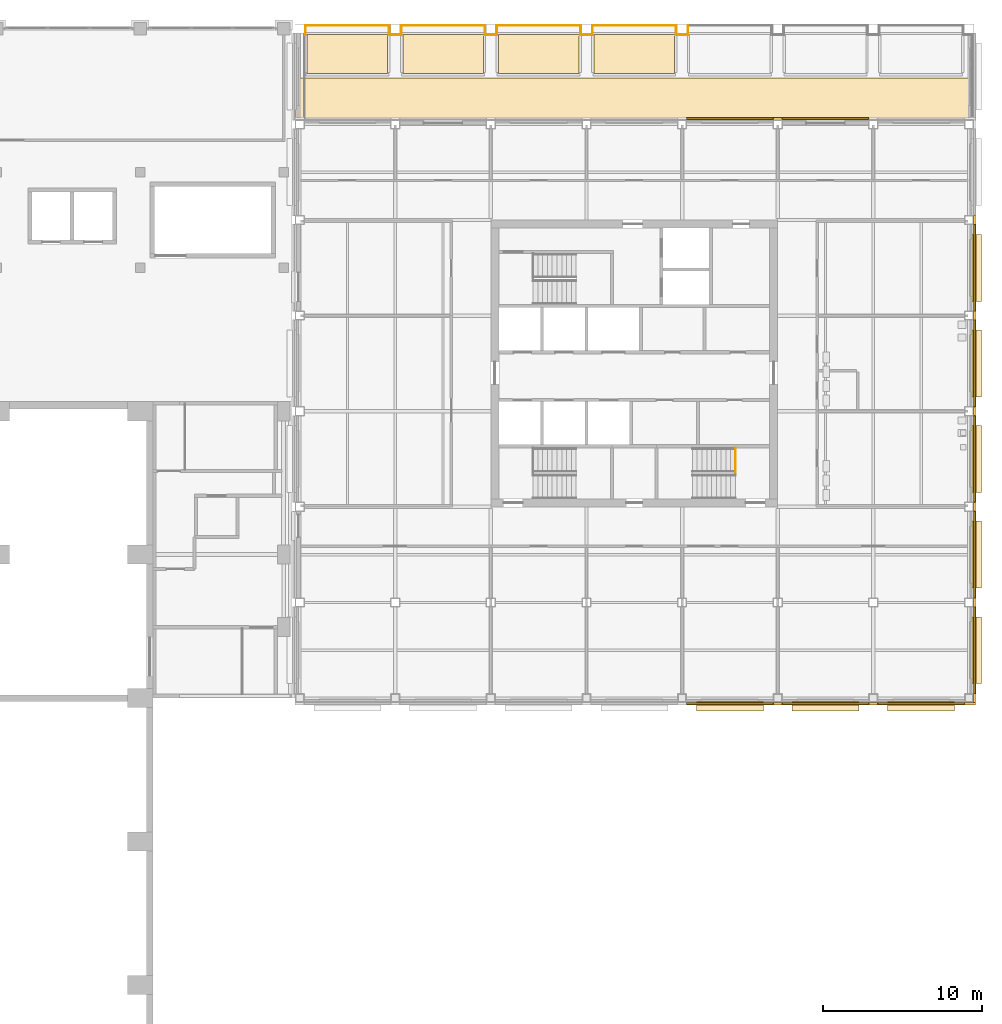
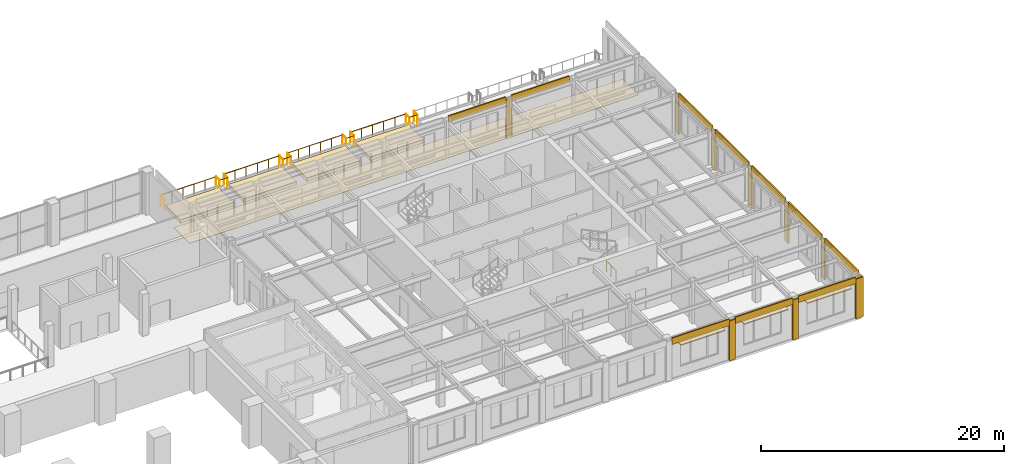
# One storey, part 36 of 39: 33 coverings, 18 railings.
"""IFC4 building model written with IfcOpenShell, lengths in metres."""

from ifc_helpers import new_model, si_unit, direction, frame, origin, origin_2d, place, context, subcontext, project, spatial, polyline, circle, outline, extrude, material, layer, layer_set, type_object, element, save


model = new_model("IFC4")

# Units and contexts
model_context = context("Model", 3, precision=1e-05, world=origin(), true_north=direction((0.0, 1.0)))
body_context = subcontext(model_context, "Body", "Model", "MODEL_VIEW")
ifc_project = project(units=[si_unit("LENGTHUNIT", "METRE"), si_unit("AREAUNIT", "SQUARE_METRE"), si_unit("VOLUMEUNIT", "CUBIC_METRE"), si_unit("PLANEANGLEUNIT", "RADIAN"), si_unit("MASSUNIT", "GRAM", prefix="KILO")], contexts=[model_context])

# Site, building, storey
site_placement = place(None, origin())
site = spatial("IfcSite", under=ifc_project, at=site_placement, CompositionType="ELEMENT")
building_placement = place(site_placement, origin())
building = spatial("IfcBuilding", under=site, at=building_placement, Name="Aravalli Gate Trade Fair Centre", CompositionType="ELEMENT")
storey_placement = place(building_placement, frame((0.0, 0.0, 15.0)))
storey = spatial("IfcBuildingStorey", under=building, at=storey_placement, Name="L03", CompositionType="ELEMENT", Elevation=15.0)

# Coverings
ifc_material_1 = material(Name="Terracotta", Category="masonry")
ifc_layer_1 = layer(ifc_material_1, 0.10009765625)
ifc_layer_set_1 = layer_set([ifc_layer_1], Name="Terracotta")
covering_type_1 = type_object("IfcCoveringType", Name="Wing chhajja hood 100", PredefinedType="MOLDING", material=ifc_layer_set_1)
covering_1_placement = place(storey_placement, frame((0.0, 0.0, 3.449951171875)))
element("IfcCovering", 1, at=covering_1_placement, inside=storey, type_object=covering_type_1, Name="Chhajja hood S4 L03", PredefinedType="MOLDING", context=body_context, shape_type="SweptSolid", body=[
    extrude(outline(polyline([(184.89990234375, 90.199951171875), (189.10009765625, 90.199951171875), (189.10009765625, 90.800048828125), (184.89990234375, 90.800048828125), (184.89990234375, 90.199951171875)])), origin(), (0.0, 0.0, 1.0), 0.10009765625),
])
covering_2_placement = place(storey_placement, frame((0.0, 0.0, 3.449951171875)))
element("IfcCovering", 2, at=covering_2_placement, inside=storey, type_object=covering_type_1, Name="Chhajja hood S5 L03", PredefinedType="MOLDING", context=body_context, shape_type="SweptSolid", body=[
    extrude(outline(polyline([(190.89990234375, 90.199951171875), (195.10009765625, 90.199951171875), (195.10009765625, 90.800048828125), (190.89990234375, 90.800048828125), (190.89990234375, 90.199951171875)])), origin(), (0.0, 0.0, 1.0), 0.10009765625),
])
covering_3_placement = place(storey_placement, frame((0.0, 0.0, 3.449951171875)))
element("IfcCovering", 3, at=covering_3_placement, inside=storey, type_object=covering_type_1, Name="Chhajja hood S6 L03", PredefinedType="MOLDING", context=body_context, shape_type="SweptSolid", body=[
    extrude(outline(polyline([(196.89990234375, 90.199951171875), (201.10009765625, 90.199951171875), (201.10009765625, 90.800048828125), (196.89990234375, 90.800048828125), (196.89990234375, 90.199951171875)])), origin(), (0.0, 0.0, 1.0), 0.10009765625),
])
covering_4_placement = place(storey_placement, frame((0.0, 0.0, 3.449951171875)))
element("IfcCovering", 4, at=covering_4_placement, inside=storey, type_object=covering_type_1, Name="Chhajja hood E0 L03", PredefinedType="MOLDING", context=body_context, shape_type="SweptSolid", body=[
    extrude(outline(polyline([(202.199951171875, 91.89990234375), (202.800048828125, 91.89990234375), (202.800048828125, 96.10009765625), (202.199951171875, 96.10009765625), (202.199951171875, 91.89990234375)])), origin(), (0.0, 0.0, 1.0), 0.10009765625),
])
covering_5_placement = place(storey_placement, frame((0.0, 0.0, 3.449951171875)))
element("IfcCovering", 5, at=covering_5_placement, inside=storey, type_object=covering_type_1, Name="Chhajja hood E1 L03", PredefinedType="MOLDING", context=body_context, shape_type="SweptSolid", body=[
    extrude(outline(polyline([(202.199951171875, 97.89990234375), (202.800048828125, 97.89990234375), (202.800048828125, 102.10009765625), (202.199951171875, 102.10009765625), (202.199951171875, 97.89990234375)])), origin(), (0.0, 0.0, 1.0), 0.10009765625),
])
covering_6_placement = place(storey_placement, frame((0.0, 0.0, 3.449951171875)))
element("IfcCovering", 6, at=covering_6_placement, inside=storey, type_object=covering_type_1, Name="Chhajja hood E2 L03", PredefinedType="MOLDING", context=body_context, shape_type="SweptSolid", body=[
    extrude(outline(polyline([(202.199951171875, 103.89990234375), (202.800048828125, 103.89990234375), (202.800048828125, 108.10009765625), (202.199951171875, 108.10009765625), (202.199951171875, 103.89990234375)])), origin(), (0.0, 0.0, 1.0), 0.10009765625),
])
covering_7_placement = place(storey_placement, frame((0.0, 0.0, 3.449951171875)))
element("IfcCovering", 7, at=covering_7_placement, inside=storey, type_object=covering_type_1, Name="Chhajja hood E3 L03", PredefinedType="MOLDING", context=body_context, shape_type="SweptSolid", body=[
    extrude(outline(polyline([(202.199951171875, 109.89990234375), (202.800048828125, 109.89990234375), (202.800048828125, 114.10009765625), (202.199951171875, 114.10009765625), (202.199951171875, 109.89990234375)])), origin(), (0.0, 0.0, 1.0), 0.10009765625),
])
covering_8_placement = place(storey_placement, frame((0.0, 0.0, 3.449951171875)))
element("IfcCovering", 8, at=covering_8_placement, inside=storey, type_object=covering_type_1, Name="Chhajja hood E4 L03", PredefinedType="MOLDING", context=body_context, shape_type="SweptSolid", body=[
    extrude(outline(polyline([(202.199951171875, 115.89990234375), (202.800048828125, 115.89990234375), (202.800048828125, 120.10009765625), (202.199951171875, 120.10009765625), (202.199951171875, 115.89990234375)])), origin(), (0.0, 0.0, 1.0), 0.10009765625),
])
ifc_material_2 = material(Name="Bituminous waterproofing membrane")
ifc_layer_2 = layer(ifc_material_2, 0.010009765625, Name="Waterproofing membrane")
ifc_material_3 = material(Name="Polyethylene drainage board")
ifc_layer_3 = layer(ifc_material_3, 0.050048828125, Name="Drainage layer")
ifc_material_4 = material(Name="Geotextile fleece")
ifc_layer_4 = layer(ifc_material_4, 0.0048828125, Name="Filter layer")
ifc_material_5 = material(Name="Growing medium")
ifc_layer_5 = layer(ifc_material_5, 0.300048828125, Name="Growing medium")
ifc_layer_set_2 = layer_set([ifc_layer_2, ifc_layer_3, ifc_layer_4, ifc_layer_5], Name="Wing green roof build-up 365")
covering_type_2 = type_object("IfcCoveringType", Name="Wing green roof build-up 365", PredefinedType="ROOFING", material=ifc_layer_set_2)
covering_9_placement = place(storey_placement, origin())
element("IfcCovering", 9, at=covering_9_placement, inside=storey, type_object=covering_type_2, Name="Terrace bed L03 1", PredefinedType="ROOFING", context=body_context, shape_type="SweptSolid", body=[
    extrude(outline(polyline([(160.47509765625, 130.179931640625), (165.52490234375, 130.179931640625), (165.52490234375, 132.6298828125), (160.47509765625, 132.6298828125), (160.47509765625, 130.179931640625)])), origin(), (0.0, 0.0, 1.0), 0.364990234375),
])
covering_10_placement = place(storey_placement, origin())
element("IfcCovering", 10, at=covering_10_placement, inside=storey, type_object=covering_type_2, Name="Terrace bed L03 2", PredefinedType="ROOFING", context=body_context, shape_type="SweptSolid", body=[
    extrude(outline(polyline([(166.47509765625, 130.179931640625), (171.52490234375, 130.179931640625), (171.52490234375, 132.6298828125), (166.47509765625, 132.6298828125), (166.47509765625, 130.179931640625)])), origin(), (0.0, 0.0, 1.0), 0.364990234375),
])
covering_11_placement = place(storey_placement, origin())
element("IfcCovering", 11, at=covering_11_placement, inside=storey, type_object=covering_type_2, Name="Terrace bed L03 3", PredefinedType="ROOFING", context=body_context, shape_type="SweptSolid", body=[
    extrude(outline(polyline([(172.47509765625, 130.179931640625), (177.52490234375, 130.179931640625), (177.52490234375, 132.6298828125), (172.47509765625, 132.6298828125), (172.47509765625, 130.179931640625)])), origin(), (0.0, 0.0, 1.0), 0.364990234375),
])
covering_12_placement = place(storey_placement, origin())
element("IfcCovering", 12, at=covering_12_placement, inside=storey, type_object=covering_type_2, Name="Terrace bed L03 4", PredefinedType="ROOFING", context=body_context, shape_type="SweptSolid", body=[
    extrude(outline(polyline([(178.47509765625, 130.179931640625), (183.52490234375, 130.179931640625), (183.52490234375, 132.6298828125), (178.47509765625, 132.6298828125), (178.47509765625, 130.179931640625)])), origin(), (0.0, 0.0, 1.0), 0.364990234375),
])
ifc_material_6 = material(Name="Terracotta lattice", Category="masonry")
ifc_layer_6 = layer(ifc_material_6, 0.1201171875)
ifc_layer_set_3 = layer_set([ifc_layer_6], Name="Terracotta lattice")
covering_type_3 = type_object("IfcCoveringType", Name="Wing jali spandrel panel 120", PredefinedType="CLADDING", material=ifc_layer_set_3)
covering_13_placement = place(storey_placement, frame((0.0, 0.0, 3.550048828125)))
element("IfcCovering", 13, at=covering_13_placement, inside=storey, type_object=covering_type_3, Name="Jali spandrel panel S4 L03", PredefinedType="CLADDING", context=body_context, shape_type="SweptSolid", body=[
    extrude(outline(polyline([(184.27490234375, 90.574951171875), (189.72509765625, 90.574951171875), (189.72509765625, 90.695068359375), (184.27490234375, 90.695068359375), (184.27490234375, 90.574951171875)])), origin(), (0.0, 0.0, 1.0), 0.64990234375),
])
covering_14_placement = place(storey_placement, frame((0.0, 0.0, 3.550048828125)))
element("IfcCovering", 14, at=covering_14_placement, inside=storey, type_object=covering_type_3, Name="Jali spandrel panel S5 L03", PredefinedType="CLADDING", context=body_context, shape_type="SweptSolid", body=[
    extrude(outline(polyline([(190.27490234375, 90.574951171875), (195.72509765625, 90.574951171875), (195.72509765625, 90.695068359375), (190.27490234375, 90.695068359375), (190.27490234375, 90.574951171875)])), origin(), (0.0, 0.0, 1.0), 0.64990234375),
])
covering_15_placement = place(storey_placement, frame((0.0, 0.0, 3.550048828125)))
element("IfcCovering", 15, at=covering_15_placement, inside=storey, type_object=covering_type_3, Name="Jali spandrel panel S6 L03", PredefinedType="CLADDING", context=body_context, shape_type="SweptSolid", body=[
    extrude(outline(polyline([(196.27490234375, 90.574951171875), (201.72509765625, 90.574951171875), (201.72509765625, 90.695068359375), (196.27490234375, 90.695068359375), (196.27490234375, 90.574951171875)])), origin(), (0.0, 0.0, 1.0), 0.64990234375),
])
ifc_material_7 = material(Name="Glazed terracotta", Category="masonry")
ifc_layer_7 = layer(ifc_material_7, 0.14990234375)
ifc_layer_set_4 = layer_set([ifc_layer_7], Name="Glazed terracotta")
covering_type_4 = type_object("IfcCoveringType", Name="Wing pier casing 150", PredefinedType="CLADDING", material=ifc_layer_set_4)
covering_16_placement = place(storey_placement, origin())
element("IfcCovering", 16, at=covering_16_placement, inside=storey, type_object=covering_type_4, Name="Pier casing 23F S L03", PredefinedType="CLADDING", context=body_context, shape_type="SweptSolid", body=[
    extrude(outline(polyline([(189.72509765625, 90.574951171875), (190.27490234375, 90.574951171875), (190.27490234375, 90.72509765625), (189.72509765625, 90.72509765625), (189.72509765625, 90.574951171875)])), origin(), (0.0, 0.0, 1.0), 4.0),
])
covering_17_placement = place(storey_placement, origin())
element("IfcCovering", 17, at=covering_17_placement, inside=storey, type_object=covering_type_4, Name="Pier casing 24F S L03", PredefinedType="CLADDING", context=body_context, shape_type="SweptSolid", body=[
    extrude(outline(polyline([(195.72509765625, 90.574951171875), (196.27490234375, 90.574951171875), (196.27490234375, 90.72509765625), (195.72509765625, 90.72509765625), (195.72509765625, 90.574951171875)])), origin(), (0.0, 0.0, 1.0), 4.0),
])
covering_18_placement = place(storey_placement, origin())
element("IfcCovering", 18, at=covering_18_placement, inside=storey, type_object=covering_type_4, Name="Pier casing 25F S L03", PredefinedType="CLADDING", context=body_context, shape_type="SweptSolid", body=[
    extrude(outline(polyline([(201.72509765625, 90.574951171875), (202.425048828125, 90.574951171875), (202.425048828125, 90.72509765625), (201.72509765625, 90.72509765625), (201.72509765625, 90.574951171875)])), origin(), (0.0, 0.0, 1.0), 4.0),
])
covering_19_placement = place(storey_placement, origin())
element("IfcCovering", 19, at=covering_19_placement, inside=storey, type_object=covering_type_4, Name="Pier casing 25F E L03", PredefinedType="CLADDING", context=body_context, shape_type="SweptSolid", body=[
    extrude(outline(polyline([(202.27490234375, 90.72509765625), (202.425048828125, 90.72509765625), (202.425048828125, 91.27490234375), (202.27490234375, 91.27490234375), (202.27490234375, 90.72509765625)])), origin(), (0.0, 0.0, 1.0), 4.0),
])
covering_20_placement = place(storey_placement, origin())
element("IfcCovering", 20, at=covering_20_placement, inside=storey, type_object=covering_type_4, Name="Pier casing 25T1 E L03", PredefinedType="CLADDING", context=body_context, shape_type="SweptSolid", body=[
    extrude(outline(polyline([(202.27490234375, 96.72509765625), (202.425048828125, 96.72509765625), (202.425048828125, 97.27490234375), (202.27490234375, 97.27490234375), (202.27490234375, 96.72509765625)])), origin(), (0.0, 0.0, 1.0), 4.0),
])
covering_21_placement = place(storey_placement, origin())
element("IfcCovering", 21, at=covering_21_placement, inside=storey, type_object=covering_type_4, Name="Pier casing 25T2 E L03", PredefinedType="CLADDING", context=body_context, shape_type="SweptSolid", body=[
    extrude(outline(polyline([(202.27490234375, 102.72509765625), (202.425048828125, 102.72509765625), (202.425048828125, 103.27490234375), (202.27490234375, 103.27490234375), (202.27490234375, 102.72509765625)])), origin(), (0.0, 0.0, 1.0), 4.0),
])
covering_22_placement = place(storey_placement, origin())
element("IfcCovering", 22, at=covering_22_placement, inside=storey, type_object=covering_type_4, Name="Pier casing 25H E L03", PredefinedType="CLADDING", context=body_context, shape_type="SweptSolid", body=[
    extrude(outline(polyline([(202.27490234375, 108.72509765625), (202.425048828125, 108.72509765625), (202.425048828125, 109.27490234375), (202.27490234375, 109.27490234375), (202.27490234375, 108.72509765625)])), origin(), (0.0, 0.0, 1.0), 4.0),
])
covering_23_placement = place(storey_placement, origin())
element("IfcCovering", 23, at=covering_23_placement, inside=storey, type_object=covering_type_4, Name="Pier casing 25T3 E L03", PredefinedType="CLADDING", context=body_context, shape_type="SweptSolid", body=[
    extrude(outline(polyline([(202.27490234375, 114.72509765625), (202.425048828125, 114.72509765625), (202.425048828125, 115.27490234375), (202.27490234375, 115.27490234375), (202.27490234375, 114.72509765625)])), origin(), (0.0, 0.0, 1.0), 4.0),
])
covering_24_placement = place(storey_placement, origin())
element("IfcCovering", 24, at=covering_24_placement, inside=storey, type_object=covering_type_4, Name="Pier casing 25J E L03", PredefinedType="CLADDING", context=body_context, shape_type="SweptSolid", body=[
    extrude(outline(polyline([(202.27490234375, 120.72509765625), (202.425048828125, 120.72509765625), (202.425048828125, 121.27490234375), (202.27490234375, 121.27490234375), (202.27490234375, 120.72509765625)])), origin(), (0.0, 0.0, 1.0), 4.0),
])
covering_25_placement = place(storey_placement, origin())
element("IfcCovering", 25, at=covering_25_placement, inside=storey, type_object=covering_type_4, Name="Pier casing 23T4 N L03", PredefinedType="CLADDING", context=body_context, shape_type="SweptSolid", body=[
    extrude(outline(polyline([(189.72509765625, 127.27490234375), (190.27490234375, 127.27490234375), (190.27490234375, 127.425048828125), (189.72509765625, 127.425048828125), (189.72509765625, 127.27490234375)])), origin(), (0.0, 0.0, 1.0), 4.0),
])
ifc_layer_8 = layer(ifc_material_7, 0.1201171875)
ifc_layer_set_5 = layer_set([ifc_layer_8], Name="Glazed terracotta")
covering_type_5 = type_object("IfcCoveringType", Name="Wing spandrel band 120", PredefinedType="CLADDING", material=ifc_layer_set_5)
covering_26_placement = place(storey_placement, frame((0.0, 0.0, 3.550048828125)))
element("IfcCovering", 26, at=covering_26_placement, inside=storey, type_object=covering_type_5, Name="Spandrel band N4 L03", PredefinedType="CLADDING", context=body_context, shape_type="SweptSolid", body=[
    extrude(outline(polyline([(184.27490234375, 127.304931640625), (189.72509765625, 127.304931640625), (189.72509765625, 127.425048828125), (184.27490234375, 127.425048828125), (184.27490234375, 127.304931640625)])), origin(), (0.0, 0.0, 1.0), 0.64990234375),
])
covering_27_placement = place(storey_placement, frame((0.0, 0.0, 3.550048828125)))
element("IfcCovering", 27, at=covering_27_placement, inside=storey, type_object=covering_type_5, Name="Spandrel band N5 L03", PredefinedType="CLADDING", context=body_context, shape_type="SweptSolid", body=[
    extrude(outline(polyline([(190.27490234375, 127.304931640625), (195.72509765625, 127.304931640625), (195.72509765625, 127.425048828125), (190.27490234375, 127.425048828125), (190.27490234375, 127.304931640625)])), origin(), (0.0, 0.0, 1.0), 0.64990234375),
])
covering_28_placement = place(storey_placement, frame((0.0, 0.0, 3.550048828125)))
element("IfcCovering", 28, at=covering_28_placement, inside=storey, type_object=covering_type_5, Name="Spandrel band E0 L03", PredefinedType="CLADDING", context=body_context, shape_type="SweptSolid", body=[
    extrude(outline(polyline([(202.304931640625, 91.27490234375), (202.425048828125, 91.27490234375), (202.425048828125, 96.72509765625), (202.304931640625, 96.72509765625), (202.304931640625, 91.27490234375)])), origin(), (0.0, 0.0, 1.0), 0.64990234375),
])
covering_29_placement = place(storey_placement, frame((0.0, 0.0, 3.550048828125)))
element("IfcCovering", 29, at=covering_29_placement, inside=storey, type_object=covering_type_5, Name="Spandrel band E1 L03", PredefinedType="CLADDING", context=body_context, shape_type="SweptSolid", body=[
    extrude(outline(polyline([(202.304931640625, 97.27490234375), (202.425048828125, 97.27490234375), (202.425048828125, 102.72509765625), (202.304931640625, 102.72509765625), (202.304931640625, 97.27490234375)])), origin(), (0.0, 0.0, 1.0), 0.64990234375),
])
covering_30_placement = place(storey_placement, frame((0.0, 0.0, 3.550048828125)))
element("IfcCovering", 30, at=covering_30_placement, inside=storey, type_object=covering_type_5, Name="Spandrel band E2 L03", PredefinedType="CLADDING", context=body_context, shape_type="SweptSolid", body=[
    extrude(outline(polyline([(202.304931640625, 103.27490234375), (202.425048828125, 103.27490234375), (202.425048828125, 108.72509765625), (202.304931640625, 108.72509765625), (202.304931640625, 103.27490234375)])), origin(), (0.0, 0.0, 1.0), 0.64990234375),
])
covering_31_placement = place(storey_placement, frame((0.0, 0.0, 3.550048828125)))
element("IfcCovering", 31, at=covering_31_placement, inside=storey, type_object=covering_type_5, Name="Spandrel band E3 L03", PredefinedType="CLADDING", context=body_context, shape_type="SweptSolid", body=[
    extrude(outline(polyline([(202.304931640625, 109.27490234375), (202.425048828125, 109.27490234375), (202.425048828125, 114.72509765625), (202.304931640625, 114.72509765625), (202.304931640625, 109.27490234375)])), origin(), (0.0, 0.0, 1.0), 0.64990234375),
])
covering_32_placement = place(storey_placement, frame((0.0, 0.0, 3.550048828125)))
element("IfcCovering", 32, at=covering_32_placement, inside=storey, type_object=covering_type_5, Name="Spandrel band E4 L03", PredefinedType="CLADDING", context=body_context, shape_type="SweptSolid", body=[
    extrude(outline(polyline([(202.304931640625, 115.27490234375), (202.425048828125, 115.27490234375), (202.425048828125, 120.72509765625), (202.304931640625, 120.72509765625), (202.304931640625, 115.27490234375)])), origin(), (0.0, 0.0, 1.0), 0.64990234375),
])

# Railings
ifc_material_8 = material(Name="Steel E350", Category="steel")
railing_type_1 = type_object("IfcRailingType", Name="Wing stair roof guard", PredefinedType="GUARDRAIL", material=ifc_material_8)
railing_1_placement = place(storey_placement, frame((187.35009765625, 105.159912109375, 0.0)))
element("IfcRailing", 33, at=railing_1_placement, inside=storey, type_object=railing_type_1, Name="Guard S1 landing L03", PredefinedType="GUARDRAIL", context=body_context, shape_type="SweptSolid", body=[
    extrude(circle(Radius=0.02392578125, at=origin_2d()), frame((0.0, 0.0, 1.076171875), z_axis=(0.0, 1.0, 0.0), x_axis=(-1.0, 0.0, 0.0)), (0.0, 0.0, 1.0), 1.5400390625),
    extrude(circle(Radius=0.02099609375, at=origin_2d()), origin(), (0.0, 0.0, 1.0), 1.052001953125),
    extrude(circle(Radius=0.02099609375, at=origin_2d()), frame((0.0, 0.77001953125, 0.0)), (0.0, 0.0, 1.0), 1.052001953125),
    extrude(circle(Radius=0.02099609375, at=origin_2d()), frame((0.0, 1.5400390625, 0.0)), (0.0, 0.0, 1.0), 1.052001953125),
])
railing_type_2 = type_object("IfcRailingType", Name="Wing terrace guard", PredefinedType="GUARDRAIL", material=ifc_material_8)
railing_2_placement = place(storey_placement, frame((160.375, 132.625, 0.0)))
element("IfcRailing", 34, at=railing_2_placement, inside=storey, type_object=railing_type_2, Name="Terrace guard L03 1", PredefinedType="GUARDRAIL", context=body_context, shape_type="SweptSolid", body=[
    extrude(circle(Radius=0.02392578125, at=origin_2d()), frame((0.0, 0.0, 1.076171875), z_axis=(0.0, 1.0, 0.0), x_axis=(-1.0, 0.0, 0.0)), (0.0, 0.0, 1.0), 0.580078125),
    extrude(circle(Radius=0.02099609375, at=origin_2d()), origin(), (0.0, 0.0, 1.0), 1.052001953125),
    extrude(circle(Radius=0.02099609375, at=origin_2d()), frame((0.0, 0.580078125, 0.0)), (0.0, 0.0, 1.0), 1.052001953125),
])
railing_3_placement = place(storey_placement, frame((160.375, 133.205078125, 0.0)))
element("IfcRailing", 35, at=railing_3_placement, inside=storey, type_object=railing_type_2, Name="Terrace guard L03 2", PredefinedType="GUARDRAIL", context=body_context, shape_type="SweptSolid", body=[
    extrude(circle(Radius=0.02392578125, at=origin_2d()), frame((0.0, 0.0, 1.076171875), z_axis=(1.0, 0.0, 0.0), x_axis=(0.0, 1.0, 0.0)), (0.0, 0.0, 1.0), 5.25),
    extrude(circle(Radius=0.02099609375, at=origin_2d()), origin(), (0.0, 0.0, 1.0), 1.052001953125),
    extrude(circle(Radius=0.02099609375, at=origin_2d()), frame((1.050048828125, 0.0, 0.0)), (0.0, 0.0, 1.0), 1.052001953125),
    extrude(circle(Radius=0.02099609375, at=origin_2d()), frame((2.10009765625, 0.0, 0.0)), (0.0, 0.0, 1.0), 1.052001953125),
    extrude(circle(Radius=0.02099609375, at=origin_2d()), frame((3.14990234375, 0.0, 0.0)), (0.0, 0.0, 1.0), 1.052001953125),
    extrude(circle(Radius=0.02099609375, at=origin_2d()), frame((4.199951171875, 0.0, 0.0)), (0.0, 0.0, 1.0), 1.052001953125),
    extrude(circle(Radius=0.02099609375, at=origin_2d()), frame((5.25, 0.0, 0.0)), (0.0, 0.0, 1.0), 1.052001953125),
])
railing_4_placement = place(storey_placement, frame((165.625, 133.205078125, 0.0)))
element("IfcRailing", 36, at=railing_4_placement, inside=storey, type_object=railing_type_2, Name="Terrace guard L03 3", PredefinedType="GUARDRAIL", context=body_context, shape_type="SweptSolid", body=[
    extrude(circle(Radius=0.02392578125, at=origin_2d()), frame((0.0, 0.0, 1.076171875), z_axis=(0.0, -1.0, 0.0), x_axis=(1.0, 0.0, 0.0)), (0.0, 0.0, 1.0), 0.580078125),
    extrude(circle(Radius=0.02099609375, at=origin_2d()), origin(), (0.0, 0.0, 1.0), 1.052001953125),
    extrude(circle(Radius=0.02099609375, at=origin_2d()), frame((0.0, -0.580078125, 0.0)), (0.0, 0.0, 1.0), 1.052001953125),
])
railing_5_placement = place(storey_placement, frame((165.625, 132.625, 0.0)))
element("IfcRailing", 37, at=railing_5_placement, inside=storey, type_object=railing_type_2, Name="Terrace guard L03 4", PredefinedType="GUARDRAIL", context=body_context, shape_type="SweptSolid", body=[
    extrude(circle(Radius=0.02392578125, at=origin_2d()), frame((0.0, 0.0, 1.076171875), z_axis=(1.0, 0.0, 0.0), x_axis=(0.0, 1.0, 0.0)), (0.0, 0.0, 1.0), 0.75),
    extrude(circle(Radius=0.02099609375, at=origin_2d()), origin(), (0.0, 0.0, 1.0), 1.052001953125),
    extrude(circle(Radius=0.02099609375, at=origin_2d()), frame((0.75, 0.0, 0.0)), (0.0, 0.0, 1.0), 1.052001953125),
])
railing_6_placement = place(storey_placement, frame((166.375, 132.625, 0.0)))
element("IfcRailing", 38, at=railing_6_placement, inside=storey, type_object=railing_type_2, Name="Terrace guard L03 5", PredefinedType="GUARDRAIL", context=body_context, shape_type="SweptSolid", body=[
    extrude(circle(Radius=0.02392578125, at=origin_2d()), frame((0.0, 0.0, 1.076171875), z_axis=(0.0, 1.0, 0.0), x_axis=(-1.0, 0.0, 0.0)), (0.0, 0.0, 1.0), 0.580078125),
    extrude(circle(Radius=0.02099609375, at=origin_2d()), origin(), (0.0, 0.0, 1.0), 1.052001953125),
    extrude(circle(Radius=0.02099609375, at=origin_2d()), frame((0.0, 0.580078125, 0.0)), (0.0, 0.0, 1.0), 1.052001953125),
])
railing_7_placement = place(storey_placement, frame((166.375, 133.205078125, 0.0)))
element("IfcRailing", 39, at=railing_7_placement, inside=storey, type_object=railing_type_2, Name="Terrace guard L03 6", PredefinedType="GUARDRAIL", context=body_context, shape_type="SweptSolid", body=[
    extrude(circle(Radius=0.02392578125, at=origin_2d()), frame((0.0, 0.0, 1.076171875), z_axis=(1.0, 0.0, 0.0), x_axis=(0.0, 1.0, 0.0)), (0.0, 0.0, 1.0), 5.25),
    extrude(circle(Radius=0.02099609375, at=origin_2d()), origin(), (0.0, 0.0, 1.0), 1.052001953125),
    extrude(circle(Radius=0.02099609375, at=origin_2d()), frame((1.050048828125, 0.0, 0.0)), (0.0, 0.0, 1.0), 1.052001953125),
    extrude(circle(Radius=0.02099609375, at=origin_2d()), frame((2.10009765625, 0.0, 0.0)), (0.0, 0.0, 1.0), 1.052001953125),
    extrude(circle(Radius=0.02099609375, at=origin_2d()), frame((3.14990234375, 0.0, 0.0)), (0.0, 0.0, 1.0), 1.052001953125),
    extrude(circle(Radius=0.02099609375, at=origin_2d()), frame((4.199951171875, 0.0, 0.0)), (0.0, 0.0, 1.0), 1.052001953125),
    extrude(circle(Radius=0.02099609375, at=origin_2d()), frame((5.25, 0.0, 0.0)), (0.0, 0.0, 1.0), 1.052001953125),
])
railing_8_placement = place(storey_placement, frame((171.625, 133.205078125, 0.0)))
element("IfcRailing", 40, at=railing_8_placement, inside=storey, type_object=railing_type_2, Name="Terrace guard L03 7", PredefinedType="GUARDRAIL", context=body_context, shape_type="SweptSolid", body=[
    extrude(circle(Radius=0.02392578125, at=origin_2d()), frame((0.0, 0.0, 1.076171875), z_axis=(0.0, -1.0, 0.0), x_axis=(1.0, 0.0, 0.0)), (0.0, 0.0, 1.0), 0.580078125),
    extrude(circle(Radius=0.02099609375, at=origin_2d()), origin(), (0.0, 0.0, 1.0), 1.052001953125),
    extrude(circle(Radius=0.02099609375, at=origin_2d()), frame((0.0, -0.580078125, 0.0)), (0.0, 0.0, 1.0), 1.052001953125),
])
railing_9_placement = place(storey_placement, frame((171.625, 132.625, 0.0)))
element("IfcRailing", 41, at=railing_9_placement, inside=storey, type_object=railing_type_2, Name="Terrace guard L03 8", PredefinedType="GUARDRAIL", context=body_context, shape_type="SweptSolid", body=[
    extrude(circle(Radius=0.02392578125, at=origin_2d()), frame((0.0, 0.0, 1.076171875), z_axis=(1.0, 0.0, 0.0), x_axis=(0.0, 1.0, 0.0)), (0.0, 0.0, 1.0), 0.75),
    extrude(circle(Radius=0.02099609375, at=origin_2d()), origin(), (0.0, 0.0, 1.0), 1.052001953125),
    extrude(circle(Radius=0.02099609375, at=origin_2d()), frame((0.75, 0.0, 0.0)), (0.0, 0.0, 1.0), 1.052001953125),
])
railing_10_placement = place(storey_placement, frame((172.375, 132.625, 0.0)))
element("IfcRailing", 42, at=railing_10_placement, inside=storey, type_object=railing_type_2, Name="Terrace guard L03 9", PredefinedType="GUARDRAIL", context=body_context, shape_type="SweptSolid", body=[
    extrude(circle(Radius=0.02392578125, at=origin_2d()), frame((0.0, 0.0, 1.076171875), z_axis=(0.0, 1.0, 0.0), x_axis=(-1.0, 0.0, 0.0)), (0.0, 0.0, 1.0), 0.580078125),
    extrude(circle(Radius=0.02099609375, at=origin_2d()), origin(), (0.0, 0.0, 1.0), 1.052001953125),
    extrude(circle(Radius=0.02099609375, at=origin_2d()), frame((0.0, 0.580078125, 0.0)), (0.0, 0.0, 1.0), 1.052001953125),
])
railing_11_placement = place(storey_placement, frame((172.375, 133.205078125, 0.0)))
element("IfcRailing", 43, at=railing_11_placement, inside=storey, type_object=railing_type_2, Name="Terrace guard L03 10", PredefinedType="GUARDRAIL", context=body_context, shape_type="SweptSolid", body=[
    extrude(circle(Radius=0.02392578125, at=origin_2d()), frame((0.0, 0.0, 1.076171875), z_axis=(1.0, 0.0, 0.0), x_axis=(0.0, 1.0, 0.0)), (0.0, 0.0, 1.0), 5.25),
    extrude(circle(Radius=0.02099609375, at=origin_2d()), origin(), (0.0, 0.0, 1.0), 1.052001953125),
    extrude(circle(Radius=0.02099609375, at=origin_2d()), frame((1.050048828125, 0.0, 0.0)), (0.0, 0.0, 1.0), 1.052001953125),
    extrude(circle(Radius=0.02099609375, at=origin_2d()), frame((2.10009765625, 0.0, 0.0)), (0.0, 0.0, 1.0), 1.052001953125),
    extrude(circle(Radius=0.02099609375, at=origin_2d()), frame((3.14990234375, 0.0, 0.0)), (0.0, 0.0, 1.0), 1.052001953125),
    extrude(circle(Radius=0.02099609375, at=origin_2d()), frame((4.199951171875, 0.0, 0.0)), (0.0, 0.0, 1.0), 1.052001953125),
    extrude(circle(Radius=0.02099609375, at=origin_2d()), frame((5.25, 0.0, 0.0)), (0.0, 0.0, 1.0), 1.052001953125),
])
railing_12_placement = place(storey_placement, frame((177.625, 133.205078125, 0.0)))
element("IfcRailing", 44, at=railing_12_placement, inside=storey, type_object=railing_type_2, Name="Terrace guard L03 11", PredefinedType="GUARDRAIL", context=body_context, shape_type="SweptSolid", body=[
    extrude(circle(Radius=0.02392578125, at=origin_2d()), frame((0.0, 0.0, 1.076171875), z_axis=(0.0, -1.0, 0.0), x_axis=(1.0, 0.0, 0.0)), (0.0, 0.0, 1.0), 0.580078125),
    extrude(circle(Radius=0.02099609375, at=origin_2d()), origin(), (0.0, 0.0, 1.0), 1.052001953125),
    extrude(circle(Radius=0.02099609375, at=origin_2d()), frame((0.0, -0.580078125, 0.0)), (0.0, 0.0, 1.0), 1.052001953125),
])
railing_13_placement = place(storey_placement, frame((177.625, 132.625, 0.0)))
element("IfcRailing", 45, at=railing_13_placement, inside=storey, type_object=railing_type_2, Name="Terrace guard L03 12", PredefinedType="GUARDRAIL", context=body_context, shape_type="SweptSolid", body=[
    extrude(circle(Radius=0.02392578125, at=origin_2d()), frame((0.0, 0.0, 1.076171875), z_axis=(1.0, 0.0, 0.0), x_axis=(0.0, 1.0, 0.0)), (0.0, 0.0, 1.0), 0.75),
    extrude(circle(Radius=0.02099609375, at=origin_2d()), origin(), (0.0, 0.0, 1.0), 1.052001953125),
    extrude(circle(Radius=0.02099609375, at=origin_2d()), frame((0.75, 0.0, 0.0)), (0.0, 0.0, 1.0), 1.052001953125),
])
railing_14_placement = place(storey_placement, frame((178.375, 132.625, 0.0)))
element("IfcRailing", 46, at=railing_14_placement, inside=storey, type_object=railing_type_2, Name="Terrace guard L03 13", PredefinedType="GUARDRAIL", context=body_context, shape_type="SweptSolid", body=[
    extrude(circle(Radius=0.02392578125, at=origin_2d()), frame((0.0, 0.0, 1.076171875), z_axis=(0.0, 1.0, 0.0), x_axis=(-1.0, 0.0, 0.0)), (0.0, 0.0, 1.0), 0.580078125),
    extrude(circle(Radius=0.02099609375, at=origin_2d()), origin(), (0.0, 0.0, 1.0), 1.052001953125),
    extrude(circle(Radius=0.02099609375, at=origin_2d()), frame((0.0, 0.580078125, 0.0)), (0.0, 0.0, 1.0), 1.052001953125),
])
railing_15_placement = place(storey_placement, frame((178.375, 133.205078125, 0.0)))
element("IfcRailing", 47, at=railing_15_placement, inside=storey, type_object=railing_type_2, Name="Terrace guard L03 14", PredefinedType="GUARDRAIL", context=body_context, shape_type="SweptSolid", body=[
    extrude(circle(Radius=0.02392578125, at=origin_2d()), frame((0.0, 0.0, 1.076171875), z_axis=(1.0, 0.0, 0.0), x_axis=(0.0, 1.0, 0.0)), (0.0, 0.0, 1.0), 5.25),
    extrude(circle(Radius=0.02099609375, at=origin_2d()), origin(), (0.0, 0.0, 1.0), 1.052001953125),
    extrude(circle(Radius=0.02099609375, at=origin_2d()), frame((1.050048828125, 0.0, 0.0)), (0.0, 0.0, 1.0), 1.052001953125),
    extrude(circle(Radius=0.02099609375, at=origin_2d()), frame((2.10009765625, 0.0, 0.0)), (0.0, 0.0, 1.0), 1.052001953125),
    extrude(circle(Radius=0.02099609375, at=origin_2d()), frame((3.14990234375, 0.0, 0.0)), (0.0, 0.0, 1.0), 1.052001953125),
    extrude(circle(Radius=0.02099609375, at=origin_2d()), frame((4.199951171875, 0.0, 0.0)), (0.0, 0.0, 1.0), 1.052001953125),
    extrude(circle(Radius=0.02099609375, at=origin_2d()), frame((5.25, 0.0, 0.0)), (0.0, 0.0, 1.0), 1.052001953125),
])
railing_16_placement = place(storey_placement, frame((183.625, 133.205078125, 0.0)))
element("IfcRailing", 48, at=railing_16_placement, inside=storey, type_object=railing_type_2, Name="Terrace guard L03 15", PredefinedType="GUARDRAIL", context=body_context, shape_type="SweptSolid", body=[
    extrude(circle(Radius=0.02392578125, at=origin_2d()), frame((0.0, 0.0, 1.076171875), z_axis=(0.0, -1.0, 0.0), x_axis=(1.0, 0.0, 0.0)), (0.0, 0.0, 1.0), 0.580078125),
    extrude(circle(Radius=0.02099609375, at=origin_2d()), origin(), (0.0, 0.0, 1.0), 1.052001953125),
    extrude(circle(Radius=0.02099609375, at=origin_2d()), frame((0.0, -0.580078125, 0.0)), (0.0, 0.0, 1.0), 1.052001953125),
])
railing_17_placement = place(storey_placement, frame((183.625, 132.625, 0.0)))
element("IfcRailing", 49, at=railing_17_placement, inside=storey, type_object=railing_type_2, Name="Terrace guard L03 16", PredefinedType="GUARDRAIL", context=body_context, shape_type="SweptSolid", body=[
    extrude(circle(Radius=0.02392578125, at=origin_2d()), frame((0.0, 0.0, 1.076171875), z_axis=(1.0, 0.0, 0.0), x_axis=(0.0, 1.0, 0.0)), (0.0, 0.0, 1.0), 0.75),
    extrude(circle(Radius=0.02099609375, at=origin_2d()), origin(), (0.0, 0.0, 1.0), 1.052001953125),
    extrude(circle(Radius=0.02099609375, at=origin_2d()), frame((0.75, 0.0, 0.0)), (0.0, 0.0, 1.0), 1.052001953125),
])
railing_18_placement = place(storey_placement, frame((184.375, 132.625, 0.0)))
element("IfcRailing", 50, at=railing_18_placement, inside=storey, type_object=railing_type_2, Name="Terrace guard L03 17", PredefinedType="GUARDRAIL", context=body_context, shape_type="SweptSolid", body=[
    extrude(circle(Radius=0.02392578125, at=origin_2d()), frame((0.0, 0.0, 1.076171875), z_axis=(0.0, 1.0, 0.0), x_axis=(-1.0, 0.0, 0.0)), (0.0, 0.0, 1.0), 0.580078125),
    extrude(circle(Radius=0.02099609375, at=origin_2d()), origin(), (0.0, 0.0, 1.0), 1.052001953125),
    extrude(circle(Radius=0.02099609375, at=origin_2d()), frame((0.0, 0.580078125, 0.0)), (0.0, 0.0, 1.0), 1.052001953125),
])

# Covering
ifc_material_9 = material(Name="Dholpur sandstone", Category="masonry")
ifc_layer_9 = layer(ifc_material_9, 0.0400390625)
ifc_layer_set_6 = layer_set([ifc_layer_9], Name="Dholpur sandstone")
covering_type_6 = type_object("IfcCoveringType", Name="Wing terrace paving 40", PredefinedType="FLOORING", material=ifc_layer_set_6)
covering_33_placement = place(storey_placement, origin())
element("IfcCovering", 51, at=covering_33_placement, inside=storey, type_object=covering_type_6, Name="Terrace paving L03", PredefinedType="FLOORING", context=body_context, shape_type="SweptSolid", body=[
    extrude(outline(polyline([(202.304931640625, 127.304931640625), (159.695068359375, 127.304931640625), (159.695068359375, 129.905029296875), (202.304931640625, 129.905029296875), (202.304931640625, 127.304931640625)])), origin(), (0.0, 0.0, 1.0), 0.0400390625),
])

save(model, "model.ifc")
